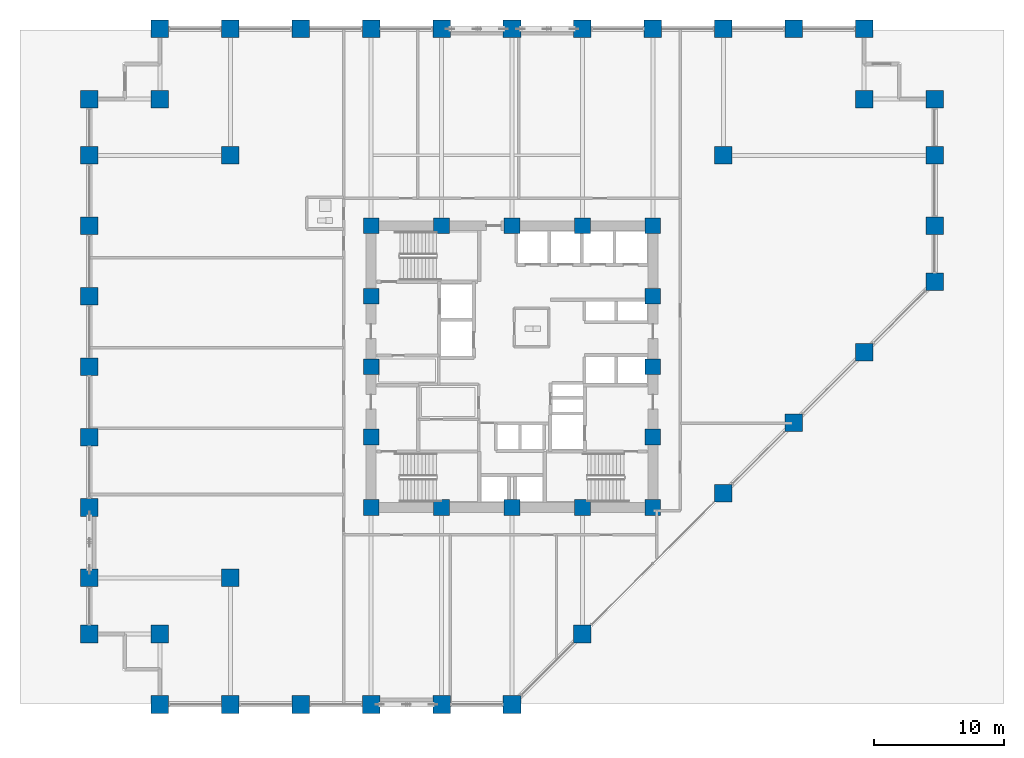
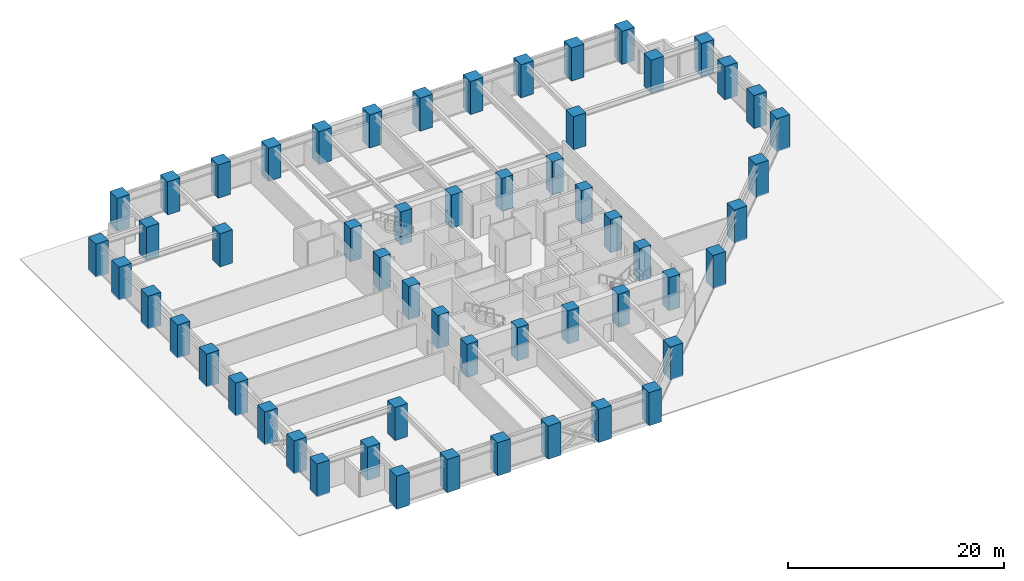
# One storey, part 1 of 27: 56 columns.
"""IFC4 building model written with IfcOpenShell, lengths in metres."""

from ifc_helpers import new_model, si_unit, direction, frame, origin, origin_2d, place, context, subcontext, project, spatial, rectangle, extrude, material, material_profile, profile_set, type_object, element, save


model = new_model("IFC4")

# Units and contexts
model_context = context("Model", 3, precision=1e-05, world=origin(), true_north=direction((0.0, 1.0)))
body_context = subcontext(model_context, "Body", "Model", "MODEL_VIEW")
ifc_project = project(units=[si_unit("LENGTHUNIT", "METRE"), si_unit("AREAUNIT", "SQUARE_METRE"), si_unit("VOLUMEUNIT", "CUBIC_METRE"), si_unit("PLANEANGLEUNIT", "RADIAN"), si_unit("MASSUNIT", "GRAM", prefix="KILO")], contexts=[model_context])

# Site, building, storey
site_placement = place(None, origin())
site = spatial("IfcSite", under=ifc_project, at=site_placement, CompositionType="ELEMENT")
building_placement = place(site_placement, origin())
building = spatial("IfcBuilding", under=site, at=building_placement, Name="Surkhivell Harbour Commons", CompositionType="ELEMENT")
storey_placement = place(building_placement, frame((0.0, 0.0, 22.5)))
storey = spatial("IfcBuildingStorey", under=building, at=storey_placement, Name="L05", CompositionType="ELEMENT", Elevation=22.5)

# Columns
ifc_material = material(Name="Concrete C80/95", Category="concrete")
ifc_material_profile_1 = material_profile(ifc_material, rectangle(XDim=1.35009765625, YDim=1.35009765625, at=origin_2d()), Name="RC-COL-1350x1350")
ifc_profile_set_1 = profile_set([ifc_material_profile_1], Name="Concrete C80/95")
column_type_1 = type_object("IfcColumnType", Name="COL-TUBE-Z1A", PredefinedType="COLUMN", material=ifc_profile_set_1)
for number, where, z_axis, x_axis, name in (
    (1, (-32.39990234375, -20.5, 0.0), (0.0, 0.0, 1.0), (1.0, 0.0, 0.0), "L05 Column CT-1A (-32.4,-20.5)"),
    (2, (-32.39990234375, -16.199951171875, 0.0), (0.0, 0.0, 1.0), (1.0, 0.0, 0.0), "L05 Column CT-1A (-32.4,-16.2)"),
    (3, (-32.39990234375, -10.800048828125, 0.0), (0.0, 0.0, 1.0), (1.0, 0.0, 0.0), "L05 Column CT-1A (-32.4,-10.8)"),
    (4, (-32.39990234375, -5.39990234375, 0.0), (0.0, 0.0, 1.0), (1.0, 0.0, 0.0), "L05 Column CT-1A (-32.4,-5.4)"),
    (5, (-32.39990234375, 0.0, 0.0), (0.0, 0.0, 1.0), (1.0, 0.0, 0.0), "L05 Column CT-1A (-32.4,0.0)"),
    (6, (-32.39990234375, 5.39990234375, 0.0), (0.0, 0.0, 1.0), (1.0, 0.0, 0.0), "L05 Column CT-1A (-32.4,5.4)"),
    (7, (-32.39990234375, 10.800048828125, 0.0), (0.0, 0.0, 1.0), (1.0, 0.0, 0.0), "L05 Column CT-1A (-32.4,10.8)"),
    (8, (-32.39990234375, 16.199951171875, 0.0), (0.0, 0.0, 1.0), (1.0, 0.0, 0.0), "L05 Column CT-1A (-32.4,16.2)"),
    (9, (-32.39990234375, 20.5, 0.0), (0.0, 0.0, 1.0), (1.0, 0.0, 0.0), "L05 Column CT-1A (-32.4,20.5)"),
    (10, (-27.0, -25.89990234375, 0.0), (0.0, 0.0, 1.0), (1.0, 0.0, 0.0), "L05 Column CT-1A (-27.0,-25.9)"),
    (11, (-27.0, -20.5, 0.0), (0.0, 0.0, 1.0), (1.0, 0.0, 0.0), "L05 Column CT-1A (-27.0,-20.5)"),
    (12, (-27.0, 20.5, 0.0), (0.0, 0.0, 1.0), (1.0, 0.0, 0.0), "L05 Column CT-1A (-27.0,20.5)"),
    (13, (-27.0, 25.89990234375, 0.0), (0.0, 0.0, 1.0), (1.0, 0.0, 0.0), "L05 Column CT-1A (-27.0,25.9)"),
    (14, (-21.60009765625, -25.89990234375, 0.0), (0.0, 0.0, 1.0), (1.0, 0.0, 0.0), "L05 Column CT-1A (-21.6,-25.9)"),
    (15, (-21.60009765625, -16.199951171875, 0.0), (0.0, 0.0, 1.0), (1.0, 0.0, 0.0), "L05 Column CT-1A (-21.6,-16.2)"),
    (16, (-21.60009765625, 16.199951171875, 0.0), (0.0, 0.0, 1.0), (1.0, 0.0, 0.0), "L05 Column CT-1A (-21.6,16.2)"),
    (17, (-21.60009765625, 25.89990234375, 0.0), (0.0, 0.0, 1.0), (1.0, 0.0, 0.0), "L05 Column CT-1A (-21.6,25.9)"),
    (18, (-16.199951171875, -25.89990234375, 0.0), (0.0, 0.0, 1.0), (1.0, 0.0, 0.0), "L05 Column CT-1A (-16.2,-25.9)"),
    (19, (-16.199951171875, 25.89990234375, 0.0), (0.0, 0.0, 1.0), (1.0, 0.0, 0.0), "L05 Column CT-1A (-16.2,25.9)"),
    (20, (-10.800048828125, -25.89990234375, 0.0), (0.0, 0.0, 1.0), (1.0, 0.0, 0.0), "L05 Column CT-1A (-10.8,-25.9)"),
    (21, (-10.800048828125, 25.89990234375, 0.0), (0.0, 0.0, 1.0), (1.0, 0.0, 0.0), "L05 Column CT-1A (-10.8,25.9)"),
    (22, (-5.39990234375, -25.89990234375, 0.0), (0.0, 0.0, 1.0), (1.0, 0.0, 0.0), "L05 Column CT-1A (-5.4,-25.9)"),
    (23, (-5.39990234375, 25.89990234375, 0.0), (0.0, 0.0, 1.0), (1.0, 0.0, 0.0), "L05 Column CT-1A (-5.4,25.9)"),
    (24, (0.0, -25.89990234375, 0.0), (0.0, 0.0, 1.0), (1.0, 0.0, 0.0), "L05 Column CT-1A (-0.0,-25.9)"),
    (25, (0.0, 25.89990234375, 0.0), (0.0, 0.0, 1.0), (1.0, 0.0, 0.0), "L05 Column CT-1A (-0.0,25.9)"),
    (26, (5.39990234375, -20.5, 0.0), (0.0, 0.0, 1.0), (1.0, 0.0, 0.0), "L05 Column CT-1A (5.4,-20.5)"),
    (27, (5.39990234375, 25.89990234375, 0.0), (0.0, 0.0, 1.0), (1.0, 0.0, 0.0), "L05 Column CT-1A (5.4,25.9)"),
    (28, (10.800048828125, 25.89990234375, 0.0), (0.0, 0.0, 1.0), (1.0, 0.0, 0.0), "L05 Column CT-1A (10.8,25.9)"),
    (29, (16.199951171875, -9.699951171875, 0.0), (0.0, 0.0, 1.0), (1.0, 0.0, 0.0), "L05 Column CT-1A (16.2,-9.7)"),
    (30, (16.199951171875, 16.199951171875, 0.0), (0.0, 0.0, 1.0), (1.0, 0.0, 0.0), "L05 Column CT-1A (16.2,16.2)"),
    (31, (16.199951171875, 25.89990234375, 0.0), (0.0, 0.0, 1.0), (1.0, 0.0, 0.0), "L05 Column CT-1A (16.2,25.9)"),
    (32, (21.60009765625, -4.300048828125, 0.0), (0.0, 0.0, 1.0), (1.0, 0.0, 0.0), "L05 Column CT-1A (21.6,-4.3)"),
    (33, (21.60009765625, 25.89990234375, 0.0), (0.0, 0.0, 1.0), (1.0, 0.0, 0.0), "L05 Column CT-1A (21.6,25.9)"),
    (34, (27.0, 1.10009765625, 0.0), (0.0, 0.0, 1.0), (1.0, 0.0, 0.0), "L05 Column CT-1A (27.0,1.1)"),
    (35, (27.0, 20.5, 0.0), (0.0, 0.0, 1.0), (1.0, 0.0, 0.0), "L05 Column CT-1A (27.0,20.5)"),
    (36, (27.0, 25.89990234375, 0.0), (0.0, 0.0, 1.0), (1.0, 0.0, 0.0), "L05 Column CT-1A (27.0,25.9)"),
    (37, (32.39990234375, 6.5, 0.0), (0.0, 0.0, 1.0), (1.0, 0.0, 0.0), "L05 Column CT-1A (32.4,6.5)"),
    (38, (32.39990234375, 10.800048828125, 0.0), (0.0, 0.0, 1.0), (1.0, 0.0, 0.0), "L05 Column CT-1A (32.4,10.8)"),
    (39, (32.39990234375, 16.199951171875, 0.0), (0.0, 0.0, 1.0), (1.0, 0.0, 0.0), "L05 Column CT-1A (32.4,16.2)"),
    (40, (32.39990234375, 20.5, 0.0), (0.0, 0.0, 1.0), (1.0, 0.0, 0.0), "L05 Column CT-1A (32.4,20.5)"),
):
    element("IfcColumn", number, at=place(storey_placement, frame(where, z_axis=z_axis, x_axis=x_axis)), inside=storey, type_object=column_type_1, Name=name, PredefinedType="COLUMN", context=body_context, shape_type="SweptSolid", body=[
        extrude(rectangle(XDim=1.35009765625, YDim=1.35009765625, at=origin_2d()), origin(), (0.0, 0.0, 1.0), 3.75),
    ])
ifc_material_profile_2 = material_profile(ifc_material, rectangle(XDim=1.199951171875, YDim=1.199951171875, at=origin_2d()), Name="RC-COL-1200x1200")
ifc_profile_set_2 = profile_set([ifc_material_profile_2], Name="Concrete C80/95")
column_type_2 = type_object("IfcColumnType", Name="COL-TUBE-Z1B", PredefinedType="COLUMN", material=ifc_profile_set_2)
for number, where, z_axis, x_axis, name in (
    (41, (-10.800048828125, -10.800048828125, 0.0), (0.0, 0.0, 1.0), (1.0, 0.0, 0.0), "L05 Column CT-1B (-10.8,-10.8)"),
    (42, (-10.800048828125, -5.39990234375, 0.0), (0.0, 0.0, 1.0), (1.0, 0.0, 0.0), "L05 Column CT-1B (-10.8,-5.4)"),
    (43, (-10.800048828125, 0.0, 0.0), (0.0, 0.0, 1.0), (1.0, 0.0, 0.0), "L05 Column CT-1B (-10.8,0.0)"),
    (44, (-10.800048828125, 5.39990234375, 0.0), (0.0, 0.0, 1.0), (1.0, 0.0, 0.0), "L05 Column CT-1B (-10.8,5.4)"),
    (45, (-10.800048828125, 10.800048828125, 0.0), (0.0, 0.0, 1.0), (1.0, 0.0, 0.0), "L05 Column CT-1B (-10.8,10.8)"),
    (46, (-5.39990234375, -10.800048828125, 0.0), (0.0, 0.0, 1.0), (1.0, 0.0, 0.0), "L05 Column CT-1B (-5.4,-10.8)"),
    (47, (-5.39990234375, 10.800048828125, 0.0), (0.0, 0.0, 1.0), (1.0, 0.0, 0.0), "L05 Column CT-1B (-5.4,10.8)"),
    (48, (0.0, -10.800048828125, 0.0), (0.0, 0.0, 1.0), (1.0, 0.0, 0.0), "L05 Column CT-1B (0.0,-10.8)"),
    (49, (0.0, 10.800048828125, 0.0), (0.0, 0.0, 1.0), (1.0, 0.0, 0.0), "L05 Column CT-1B (0.0,10.8)"),
    (50, (5.39990234375, -10.800048828125, 0.0), (0.0, 0.0, 1.0), (1.0, 0.0, 0.0), "L05 Column CT-1B (5.4,-10.8)"),
    (51, (5.39990234375, 10.800048828125, 0.0), (0.0, 0.0, 1.0), (1.0, 0.0, 0.0), "L05 Column CT-1B (5.4,10.8)"),
    (52, (10.800048828125, -10.800048828125, 0.0), (0.0, 0.0, 1.0), (1.0, 0.0, 0.0), "L05 Column CT-1B (10.8,-10.8)"),
    (53, (10.800048828125, -5.39990234375, 0.0), (0.0, 0.0, 1.0), (1.0, 0.0, 0.0), "L05 Column CT-1B (10.8,-5.4)"),
    (54, (10.800048828125, 0.0, 0.0), (0.0, 0.0, 1.0), (1.0, 0.0, 0.0), "L05 Column CT-1B (10.8,0.0)"),
    (55, (10.800048828125, 5.39990234375, 0.0), (0.0, 0.0, 1.0), (1.0, 0.0, 0.0), "L05 Column CT-1B (10.8,5.4)"),
    (56, (10.800048828125, 10.800048828125, 0.0), (0.0, 0.0, 1.0), (1.0, 0.0, 0.0), "L05 Column CT-1B (10.8,10.8)"),
):
    element("IfcColumn", number, at=place(storey_placement, frame(where, z_axis=z_axis, x_axis=x_axis)), inside=storey, type_object=column_type_2, Name=name, PredefinedType="COLUMN", context=body_context, shape_type="SweptSolid", body=[
        extrude(rectangle(XDim=1.199951171875, YDim=1.199951171875, at=origin_2d()), origin(), (0.0, 0.0, 1.0), 3.75),
    ])

save(model, "model.ifc")
